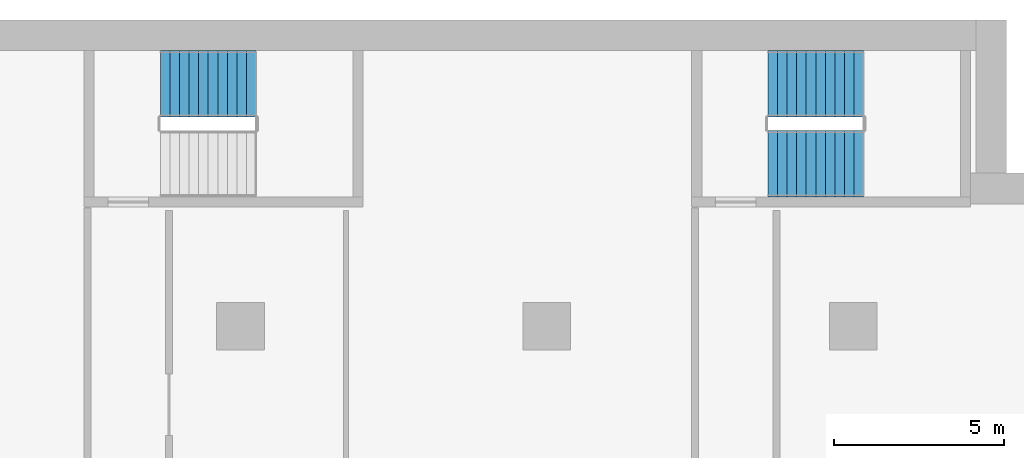
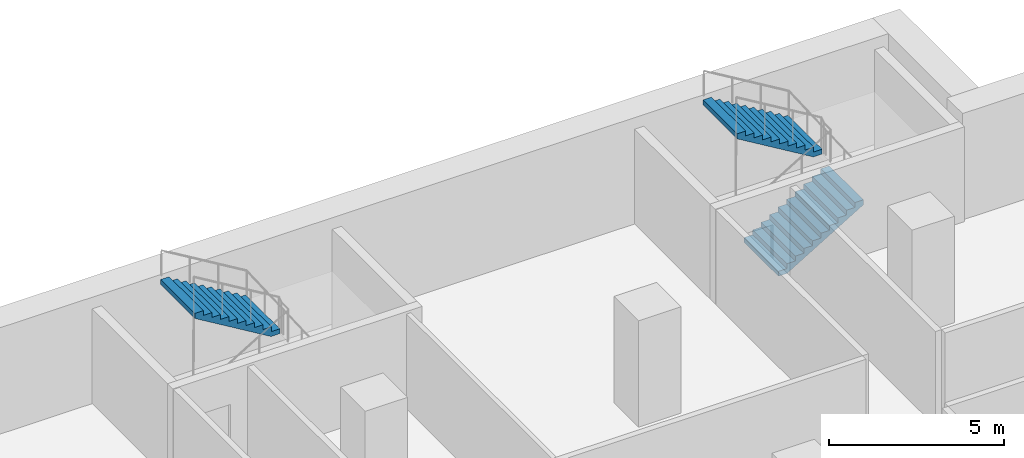
# One storey, part 22 of 28: 3 stair flights, 2 elements without a shape of their own.
"""IFC4 building model written with IfcOpenShell, lengths in metres."""

from ifc_helpers import new_model, si_unit, direction, frame, origin, place, context, subcontext, project, spatial, polyline, outline, extrude, material, type_object, element, aggregate, save


model = new_model("IFC4")

# Units and contexts
model_context = context("Model", 3, precision=1e-05, world=origin(), true_north=direction((0.0, 1.0)))
body_context = subcontext(model_context, "Body", "Model", "MODEL_VIEW")
ifc_project = project(units=[si_unit("LENGTHUNIT", "METRE"), si_unit("AREAUNIT", "SQUARE_METRE"), si_unit("VOLUMEUNIT", "CUBIC_METRE"), si_unit("PLANEANGLEUNIT", "RADIAN"), si_unit("MASSUNIT", "GRAM", prefix="KILO")], contexts=[model_context])

# Site, building, storey
site_placement = place(None, origin())
site = spatial("IfcSite", under=ifc_project, at=site_placement, CompositionType="ELEMENT")
building_placement = place(site_placement, origin())
building = spatial("IfcBuilding", under=site, at=building_placement, Name="Hunhe Ridgeline Campus", CompositionType="ELEMENT")
storey_placement = place(building_placement, frame((0.0, 0.0, 43.199951171875)))
storey = spatial("IfcBuildingStorey", under=building, at=storey_placement, Name="L09", CompositionType="ELEMENT", Elevation=43.199951171875)

# Stair, stair flight
ifc_material = material(Name="Concrete C40", Category="concrete")
stair_type = type_object("IfcStairType", Name="Reinforced concrete dog-leg stair 1950 Concrete C40", PredefinedType="HALF_TURN_STAIR", material=ifc_material)
stair_1_placement = place(storey_placement, origin())
stair_1 = element("IfcStair", 1, at=stair_1_placement, inside=storey, type_object=stair_type, Name="L09 E3", PredefinedType="HALF_TURN_STAIR")
stair_flight_type = type_object("IfcStairFlightType", Name="Reinforced concrete stair flight 1950 Concrete C40", PredefinedType="STRAIGHT", material=ifc_material)
stair_flight_1_placement = place(storey_placement, frame((72.449951171875, 97.125, 1.85009765625), z_axis=(0.0, 0.0, 1.0), x_axis=(-1.0, 0.0, 0.0)))
stair_flight_1 = element("IfcStairFlight", 2, at=stair_flight_1_placement, type_object=stair_flight_type, Name="ST7 flight 2", NumberOfRisers=11, NumberOfTreads=10, PredefinedType="STRAIGHT", RiserHeight=0.168181818, TreadLength=0.28, context=body_context, shape_type="SweptSolid", body=[
    extrude(outline(polyline([(0.0, 0.0), (0.0, 0.168212890625), (0.280029296875, 0.168212890625), (0.280029296875, 0.33642578125), (0.56005859375, 0.33642578125), (0.56005859375, 0.504638671875), (0.840087890625, 0.504638671875), (0.840087890625, 0.672607421875), (1.1201171875, 0.672607421875), (1.1201171875, 0.8408203125), (1.39990234375, 0.8408203125), (1.39990234375, 1.009033203125), (1.679931640625, 1.009033203125), (1.679931640625, 1.17724609375), (1.9599609375, 1.17724609375), (1.9599609375, 1.345458984375), (2.239990234375, 1.345458984375), (2.239990234375, 1.513671875), (2.52001953125, 1.513671875), (2.52001953125, 1.681884765625), (2.800048828125, 1.681884765625), (2.800048828125, 1.85009765625), (2.800048828125, 1.5068359375), (0.291015625, 0.0), (0.0, 0.0)])), frame((0.0, 0.97509765625, 0.0), z_axis=(0.0, -1.0, 0.0), x_axis=(1.0, 0.0, 0.0)), (0.0, 0.0, 1.0), 1.949951171875),
    extrude(outline(polyline([(0.030029296875, 0.030029296875), (0.030029296875, 0.13818359375), (0.31005859375, 0.13818359375), (0.31005859375, 0.306396484375), (0.590087890625, 0.306396484375), (0.590087890625, 0.474609375), (0.8701171875, 0.474609375), (0.8701171875, 0.642578125), (1.14990234375, 0.642578125), (1.14990234375, 0.810791015625), (1.429931640625, 0.810791015625), (1.429931640625, 0.97900390625), (1.7099609375, 0.97900390625), (1.7099609375, 1.147216796875), (1.989990234375, 1.147216796875), (1.989990234375, 1.3154296875), (2.27001953125, 1.3154296875), (2.27001953125, 1.483642578125), (2.550048828125, 1.483642578125), (2.550048828125, 1.65185546875), (2.77001953125, 1.65185546875), (2.77001953125, 1.52392578125), (0.28271484375, 0.030029296875), (0.030029296875, 0.030029296875)])), frame((0.0, -0.070068359375, 0.0), z_axis=(0.0, -1.0, 0.0), x_axis=(1.0, 0.0, 0.0)), (0.0, 0.0, 1.0), 0.019775390625),
    extrude(outline(polyline([(0.030029296875, 0.030029296875), (0.030029296875, 0.13818359375), (0.31005859375, 0.13818359375), (0.31005859375, 0.306396484375), (0.590087890625, 0.306396484375), (0.590087890625, 0.474609375), (0.8701171875, 0.474609375), (0.8701171875, 0.642578125), (1.14990234375, 0.642578125), (1.14990234375, 0.810791015625), (1.429931640625, 0.810791015625), (1.429931640625, 0.97900390625), (1.7099609375, 0.97900390625), (1.7099609375, 1.147216796875), (1.989990234375, 1.147216796875), (1.989990234375, 1.3154296875), (2.27001953125, 1.3154296875), (2.27001953125, 1.483642578125), (2.550048828125, 1.483642578125), (2.550048828125, 1.65185546875), (2.77001953125, 1.65185546875), (2.77001953125, 1.52392578125), (0.28271484375, 0.030029296875), (0.030029296875, 0.030029296875)])), frame((0.0, 0.010009765625, 0.0), z_axis=(0.0, -1.0, 0.0), x_axis=(1.0, 0.0, 0.0)), (0.0, 0.0, 1.0), 0.019775390625),
    extrude(outline(polyline([(0.030029296875, 0.030029296875), (0.030029296875, 0.13818359375), (0.31005859375, 0.13818359375), (0.31005859375, 0.306396484375), (0.590087890625, 0.306396484375), (0.590087890625, 0.474609375), (0.8701171875, 0.474609375), (0.8701171875, 0.642578125), (1.14990234375, 0.642578125), (1.14990234375, 0.810791015625), (1.429931640625, 0.810791015625), (1.429931640625, 0.97900390625), (1.7099609375, 0.97900390625), (1.7099609375, 1.147216796875), (1.989990234375, 1.147216796875), (1.989990234375, 1.3154296875), (2.27001953125, 1.3154296875), (2.27001953125, 1.483642578125), (2.550048828125, 1.483642578125), (2.550048828125, 1.65185546875), (2.77001953125, 1.65185546875), (2.77001953125, 1.52392578125), (0.28271484375, 0.030029296875), (0.030029296875, 0.030029296875)])), frame((0.0, 0.090087890625, 0.0), z_axis=(0.0, -1.0, 0.0), x_axis=(1.0, 0.0, 0.0)), (0.0, 0.0, 1.0), 0.019775390625),
])
aggregate(stair_1, [stair_flight_1])

# Stair, stair flights
stair_2_placement = place(storey_placement, origin())
stair_2 = element("IfcStair", 3, at=stair_2_placement, inside=storey, type_object=stair_type, Name="L09 E4", PredefinedType="HALF_TURN_STAIR")
stair_flight_2_placement = place(storey_placement, frame((87.5, 94.77490234375, 0.0), z_axis=(0.0, 0.0, 1.0), x_axis=(1.0, 0.0, 0.0)))
stair_flight_2 = element("IfcStairFlight", 4, at=stair_flight_2_placement, type_object=stair_flight_type, Name="ST8 flight 1", NumberOfRisers=11, NumberOfTreads=10, PredefinedType="STRAIGHT", RiserHeight=0.168181818, TreadLength=0.28, context=body_context, shape_type="SweptSolid", body=[
    extrude(outline(polyline([(0.0, 0.0), (0.0, 0.168212890625), (0.280029296875, 0.168212890625), (0.280029296875, 0.33642578125), (0.56005859375, 0.33642578125), (0.56005859375, 0.504638671875), (0.840087890625, 0.504638671875), (0.840087890625, 0.672607421875), (1.1201171875, 0.672607421875), (1.1201171875, 0.8408203125), (1.39990234375, 0.8408203125), (1.39990234375, 1.009033203125), (1.679931640625, 1.009033203125), (1.679931640625, 1.17724609375), (1.9599609375, 1.17724609375), (1.9599609375, 1.345458984375), (2.239990234375, 1.345458984375), (2.239990234375, 1.513671875), (2.52001953125, 1.513671875), (2.52001953125, 1.681884765625), (2.800048828125, 1.681884765625), (2.800048828125, 1.85009765625), (2.800048828125, 1.5068359375), (0.291015625, 0.0), (0.0, 0.0)])), frame((0.0, 0.97509765625, 0.0), z_axis=(0.0, -1.0, 0.0), x_axis=(1.0, 0.0, 0.0)), (0.0, 0.0, 1.0), 1.949951171875),
    extrude(outline(polyline([(0.030029296875, 0.030029296875), (0.030029296875, 0.13818359375), (0.31005859375, 0.13818359375), (0.31005859375, 0.306396484375), (0.590087890625, 0.306396484375), (0.590087890625, 0.474609375), (0.8701171875, 0.474609375), (0.8701171875, 0.642578125), (1.14990234375, 0.642578125), (1.14990234375, 0.810791015625), (1.429931640625, 0.810791015625), (1.429931640625, 0.97900390625), (1.7099609375, 0.97900390625), (1.7099609375, 1.147216796875), (1.989990234375, 1.147216796875), (1.989990234375, 1.3154296875), (2.27001953125, 1.3154296875), (2.27001953125, 1.483642578125), (2.550048828125, 1.483642578125), (2.550048828125, 1.65185546875), (2.77001953125, 1.65185546875), (2.77001953125, 1.52392578125), (0.28271484375, 0.030029296875), (0.030029296875, 0.030029296875)])), frame((0.0, -0.070068359375, 0.0), z_axis=(0.0, -1.0, 0.0), x_axis=(1.0, 0.0, 0.0)), (0.0, 0.0, 1.0), 0.019775390625),
    extrude(outline(polyline([(0.030029296875, 0.030029296875), (0.030029296875, 0.13818359375), (0.31005859375, 0.13818359375), (0.31005859375, 0.306396484375), (0.590087890625, 0.306396484375), (0.590087890625, 0.474609375), (0.8701171875, 0.474609375), (0.8701171875, 0.642578125), (1.14990234375, 0.642578125), (1.14990234375, 0.810791015625), (1.429931640625, 0.810791015625), (1.429931640625, 0.97900390625), (1.7099609375, 0.97900390625), (1.7099609375, 1.147216796875), (1.989990234375, 1.147216796875), (1.989990234375, 1.3154296875), (2.27001953125, 1.3154296875), (2.27001953125, 1.483642578125), (2.550048828125, 1.483642578125), (2.550048828125, 1.65185546875), (2.77001953125, 1.65185546875), (2.77001953125, 1.52392578125), (0.28271484375, 0.030029296875), (0.030029296875, 0.030029296875)])), frame((0.0, 0.010009765625, 0.0), z_axis=(0.0, -1.0, 0.0), x_axis=(1.0, 0.0, 0.0)), (0.0, 0.0, 1.0), 0.019775390625),
    extrude(outline(polyline([(0.030029296875, 0.030029296875), (0.030029296875, 0.13818359375), (0.31005859375, 0.13818359375), (0.31005859375, 0.306396484375), (0.590087890625, 0.306396484375), (0.590087890625, 0.474609375), (0.8701171875, 0.474609375), (0.8701171875, 0.642578125), (1.14990234375, 0.642578125), (1.14990234375, 0.810791015625), (1.429931640625, 0.810791015625), (1.429931640625, 0.97900390625), (1.7099609375, 0.97900390625), (1.7099609375, 1.147216796875), (1.989990234375, 1.147216796875), (1.989990234375, 1.3154296875), (2.27001953125, 1.3154296875), (2.27001953125, 1.483642578125), (2.550048828125, 1.483642578125), (2.550048828125, 1.65185546875), (2.77001953125, 1.65185546875), (2.77001953125, 1.52392578125), (0.28271484375, 0.030029296875), (0.030029296875, 0.030029296875)])), frame((0.0, 0.090087890625, 0.0), z_axis=(0.0, -1.0, 0.0), x_axis=(1.0, 0.0, 0.0)), (0.0, 0.0, 1.0), 0.019775390625),
])
stair_flight_3_placement = place(storey_placement, frame((90.300048828125, 97.125, 1.85009765625), z_axis=(0.0, 0.0, 1.0), x_axis=(-1.0, 0.0, 0.0)))
stair_flight_3 = element("IfcStairFlight", 5, at=stair_flight_3_placement, type_object=stair_flight_type, Name="ST8 flight 2", NumberOfRisers=11, NumberOfTreads=10, PredefinedType="STRAIGHT", RiserHeight=0.168181818, TreadLength=0.28, context=body_context, shape_type="SweptSolid", body=[
    extrude(outline(polyline([(0.0, 0.0), (0.0, 0.168212890625), (0.280029296875, 0.168212890625), (0.280029296875, 0.33642578125), (0.56005859375, 0.33642578125), (0.56005859375, 0.504638671875), (0.840087890625, 0.504638671875), (0.840087890625, 0.672607421875), (1.1201171875, 0.672607421875), (1.1201171875, 0.8408203125), (1.39990234375, 0.8408203125), (1.39990234375, 1.009033203125), (1.679931640625, 1.009033203125), (1.679931640625, 1.17724609375), (1.9599609375, 1.17724609375), (1.9599609375, 1.345458984375), (2.239990234375, 1.345458984375), (2.239990234375, 1.513671875), (2.52001953125, 1.513671875), (2.52001953125, 1.681884765625), (2.800048828125, 1.681884765625), (2.800048828125, 1.85009765625), (2.800048828125, 1.5068359375), (0.291015625, 0.0), (0.0, 0.0)])), frame((0.0, 0.97509765625, 0.0), z_axis=(0.0, -1.0, 0.0), x_axis=(1.0, 0.0, 0.0)), (0.0, 0.0, 1.0), 1.949951171875),
    extrude(outline(polyline([(0.030029296875, 0.030029296875), (0.030029296875, 0.13818359375), (0.31005859375, 0.13818359375), (0.31005859375, 0.306396484375), (0.590087890625, 0.306396484375), (0.590087890625, 0.474609375), (0.8701171875, 0.474609375), (0.8701171875, 0.642578125), (1.14990234375, 0.642578125), (1.14990234375, 0.810791015625), (1.429931640625, 0.810791015625), (1.429931640625, 0.97900390625), (1.7099609375, 0.97900390625), (1.7099609375, 1.147216796875), (1.989990234375, 1.147216796875), (1.989990234375, 1.3154296875), (2.27001953125, 1.3154296875), (2.27001953125, 1.483642578125), (2.550048828125, 1.483642578125), (2.550048828125, 1.65185546875), (2.77001953125, 1.65185546875), (2.77001953125, 1.52392578125), (0.28271484375, 0.030029296875), (0.030029296875, 0.030029296875)])), frame((0.0, -0.070068359375, 0.0), z_axis=(0.0, -1.0, 0.0), x_axis=(1.0, 0.0, 0.0)), (0.0, 0.0, 1.0), 0.019775390625),
    extrude(outline(polyline([(0.030029296875, 0.030029296875), (0.030029296875, 0.13818359375), (0.31005859375, 0.13818359375), (0.31005859375, 0.306396484375), (0.590087890625, 0.306396484375), (0.590087890625, 0.474609375), (0.8701171875, 0.474609375), (0.8701171875, 0.642578125), (1.14990234375, 0.642578125), (1.14990234375, 0.810791015625), (1.429931640625, 0.810791015625), (1.429931640625, 0.97900390625), (1.7099609375, 0.97900390625), (1.7099609375, 1.147216796875), (1.989990234375, 1.147216796875), (1.989990234375, 1.3154296875), (2.27001953125, 1.3154296875), (2.27001953125, 1.483642578125), (2.550048828125, 1.483642578125), (2.550048828125, 1.65185546875), (2.77001953125, 1.65185546875), (2.77001953125, 1.52392578125), (0.28271484375, 0.030029296875), (0.030029296875, 0.030029296875)])), frame((0.0, 0.010009765625, 0.0), z_axis=(0.0, -1.0, 0.0), x_axis=(1.0, 0.0, 0.0)), (0.0, 0.0, 1.0), 0.019775390625),
    extrude(outline(polyline([(0.030029296875, 0.030029296875), (0.030029296875, 0.13818359375), (0.31005859375, 0.13818359375), (0.31005859375, 0.306396484375), (0.590087890625, 0.306396484375), (0.590087890625, 0.474609375), (0.8701171875, 0.474609375), (0.8701171875, 0.642578125), (1.14990234375, 0.642578125), (1.14990234375, 0.810791015625), (1.429931640625, 0.810791015625), (1.429931640625, 0.97900390625), (1.7099609375, 0.97900390625), (1.7099609375, 1.147216796875), (1.989990234375, 1.147216796875), (1.989990234375, 1.3154296875), (2.27001953125, 1.3154296875), (2.27001953125, 1.483642578125), (2.550048828125, 1.483642578125), (2.550048828125, 1.65185546875), (2.77001953125, 1.65185546875), (2.77001953125, 1.52392578125), (0.28271484375, 0.030029296875), (0.030029296875, 0.030029296875)])), frame((0.0, 0.090087890625, 0.0), z_axis=(0.0, -1.0, 0.0), x_axis=(1.0, 0.0, 0.0)), (0.0, 0.0, 1.0), 0.019775390625),
])
aggregate(stair_2, [stair_flight_2, stair_flight_3])

save(model, "model.ifc")
